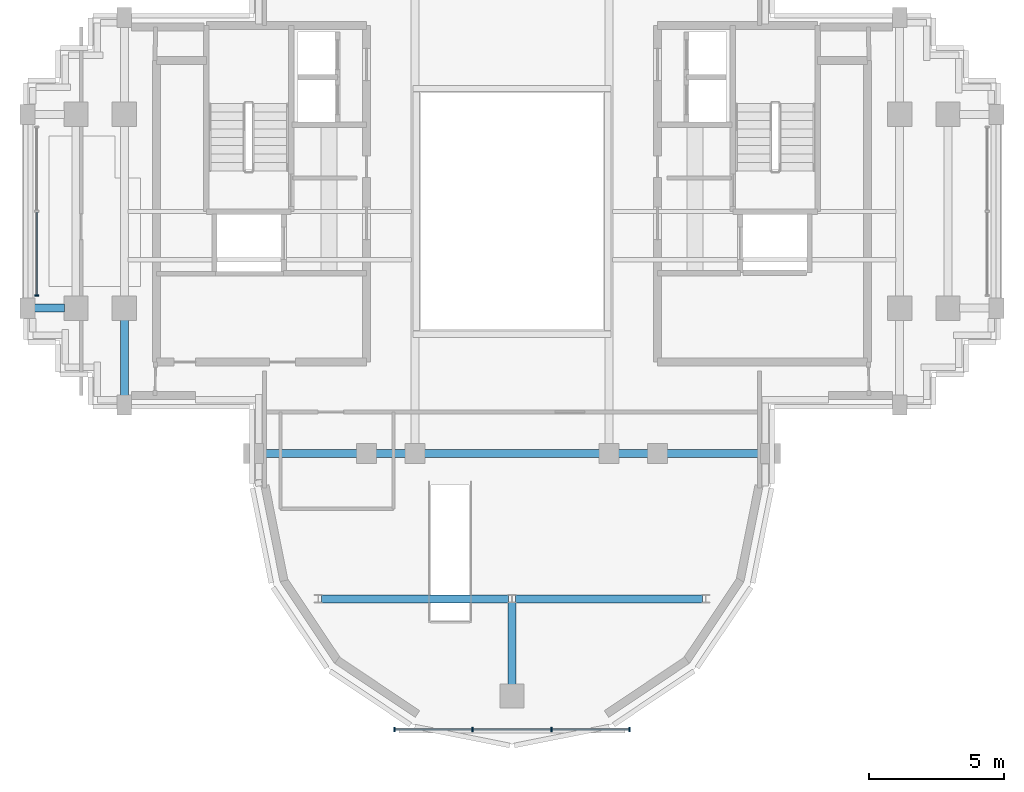
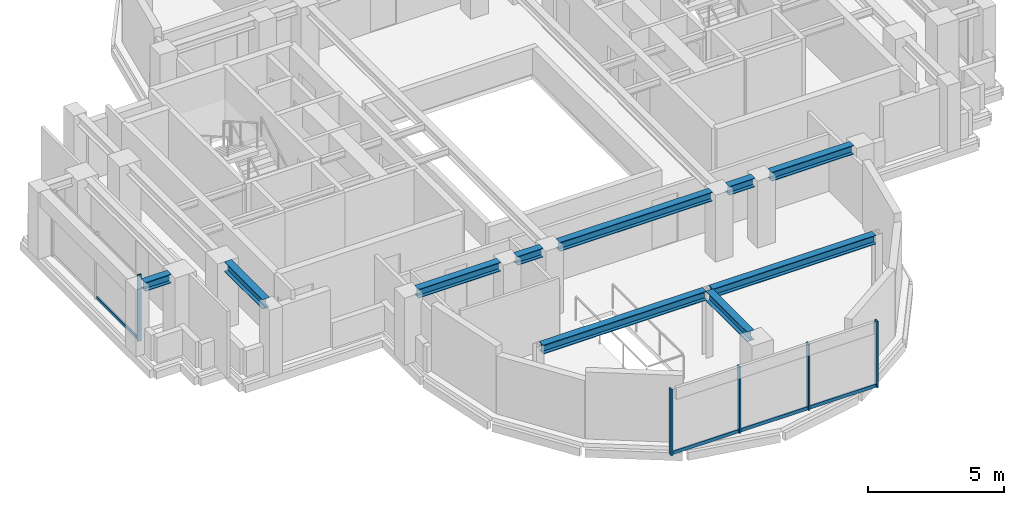
# One storey, part 3 of 12: 10 beams, 9 members, 2 elements without a shape of their own.
"""IFC4 building model written with IfcOpenShell, lengths in metres."""

from ifc_helpers import new_model, si_unit, direction, frame, origin, origin_2d, place, context, subcontext, project, spatial, rectangle, i_section, extrude, source, transform, mapped, material, material_profile, profile_set, type_object, element, aggregate, save


model = new_model("IFC4")

# Units and contexts
model_context = context("Model", 3, precision=1e-05, world=origin(), true_north=direction((0.0, 1.0)))
body_context = subcontext(model_context, "Body", "Model", "MODEL_VIEW")
ifc_project = project(units=[si_unit("LENGTHUNIT", "METRE"), si_unit("AREAUNIT", "SQUARE_METRE"), si_unit("VOLUMEUNIT", "CUBIC_METRE"), si_unit("PLANEANGLEUNIT", "RADIAN"), si_unit("MASSUNIT", "GRAM", prefix="KILO")], contexts=[model_context])

# Site, building, storey
site_placement = place(None, origin())
site = spatial("IfcSite", under=ifc_project, at=site_placement, CompositionType="ELEMENT")
building_placement = place(site_placement, origin())
building = spatial("IfcBuilding", under=site, at=building_placement, Name="Keilestroom Media Tower", CompositionType="ELEMENT")
storey_placement = place(building_placement, frame((0.0, 0.0, 242.800048828125)))
storey = spatial("IfcBuildingStorey", under=building, at=storey_placement, Name="L67", CompositionType="ELEMENT", Elevation=242.800048828125)

# Beams
ifc_material_1 = material(Name="Steel S355", Category="steel")
ifc_material_profile_1 = material_profile(ifc_material_1, i_section(OverallWidth=0.300048828125, OverallDepth=0.39990234375, WebThickness=0.011474609375, FlangeThickness=0.02392578125, at=origin_2d()), Name="HEB 400")
ifc_profile_set_1 = profile_set([ifc_material_profile_1], Name="Steel S355")
beam_type_1 = type_object("IfcBeamType", Name="Primary-Structural-Girder-HEB-400", PredefinedType="BEAM", material=ifc_profile_set_1)
shared_shape_1 = source(origin(), body_context, "Body", "SweptSolid", [
    extrude(i_section(OverallWidth=0.300048828125, OverallDepth=0.39990234375, WebThickness=0.011474609375, FlangeThickness=0.02392578125, at=origin_2d()), origin(), (0.0, 0.0, 1.0), 6.940185546875),
])
for number, where, z_axis, x_axis, name in (
    (1, (-7.070068359375, -14.39990234375, 2.81005859375), (1.0, 0.0, 0.0), (0.0, 1.0, 0.0), "L67 Beam BG-8 BM-L67-EW-001"),
    (2, (0.1298828125, -14.39990234375, 2.81005859375), (1.0, 0.0, 0.0), (0.0, 1.0, 0.0), "L67 Beam BG-8 BM-L67-EW-002"),
):
    element("IfcBeam", number, at=place(storey_placement, frame(where, z_axis=z_axis, x_axis=x_axis)), inside=storey, type_object=beam_type_1, Name=name, PredefinedType="BEAM", context=body_context, shape_type="MappedRepresentation", body=[
        mapped(shared_shape_1, transform((0.0, 0.0, 0.0), x_axis=(1.0, 0.0, 0.0), y_axis=(0.0, 1.0, 0.0), z_axis=(0.0, 0.0, 1.0), scale=1.0)),
    ])
shared_shape_2 = source(origin(), body_context, "Body", "SweptSolid", [
    extrude(i_section(OverallWidth=0.300048828125, OverallDepth=0.39990234375, WebThickness=0.011474609375, FlangeThickness=0.02392578125, at=origin_2d()), origin(), (0.0, 0.0, 1.0), 3.490234375),
])
for number, where, z_axis, x_axis, name in (
    (3, (-9.2451171875, -9.0, 2.81005859375), (1.0, 0.0, 0.0), (0.0, 1.0, 0.0), "L67 Beam BG-8 BM-L67-EW-003"),
    (4, (5.7548828125, -9.0, 2.81005859375), (1.0, 0.0, 0.0), (0.0, 1.0, 0.0), "L67 Beam BG-8 BM-L67-EW-007"),
):
    element("IfcBeam", number, at=place(storey_placement, frame(where, z_axis=z_axis, x_axis=x_axis)), inside=storey, type_object=beam_type_1, Name=name, PredefinedType="BEAM", context=body_context, shape_type="MappedRepresentation", body=[
        mapped(shared_shape_2, transform((0.0, 0.0, 0.0), x_axis=(1.0, 0.0, 0.0), y_axis=(0.0, 1.0, 0.0), z_axis=(0.0, 0.0, 1.0), scale=1.0)),
    ])
shared_shape_3 = source(origin(), body_context, "Body", "SweptSolid", [
    extrude(i_section(OverallWidth=0.300048828125, OverallDepth=0.39990234375, WebThickness=0.011474609375, FlangeThickness=0.02392578125, at=origin_2d()), origin(), (0.0, 0.0, 1.0), 1.08984375),
])
for number, where, z_axis, x_axis, name in (
    (5, (-5.044921875, -9.0, 2.81005859375), (1.0, 0.0, 0.0), (0.0, 1.0, 0.0), "L67 Beam BG-8 BM-L67-EW-004"),
    (6, (3.955078125, -9.0, 2.81005859375), (1.0, 0.0, 0.0), (0.0, 1.0, 0.0), "L67 Beam BG-8 BM-L67-EW-006"),
):
    element("IfcBeam", number, at=place(storey_placement, frame(where, z_axis=z_axis, x_axis=x_axis)), inside=storey, type_object=beam_type_1, Name=name, PredefinedType="BEAM", context=body_context, shape_type="MappedRepresentation", body=[
        mapped(shared_shape_3, transform((0.0, 0.0, 0.0), x_axis=(1.0, 0.0, 0.0), y_axis=(0.0, 1.0, 0.0), z_axis=(0.0, 0.0, 1.0), scale=1.0)),
    ])
shared_shape_4 = source(origin(), body_context, "Body", "SweptSolid", [
    extrude(i_section(OverallWidth=0.300048828125, OverallDepth=0.39990234375, WebThickness=0.011474609375, FlangeThickness=0.02392578125, at=origin_2d()), origin(), (0.0, 0.0, 1.0), 6.490234375),
])
beam_1_placement = place(storey_placement, frame((-3.2451171875, -9.0, 2.81005859375), z_axis=(1.0, 0.0, 0.0), x_axis=(0.0, 1.0, 0.0)))
element("IfcBeam", 7, at=beam_1_placement, inside=storey, type_object=beam_type_1, Name="L67 Beam BG-8 BM-L67-EW-005", PredefinedType="BEAM", context=body_context, shape_type="MappedRepresentation", body=[
    mapped(shared_shape_4, transform((0.0, 0.0, 0.0), x_axis=(1.0, 0.0, 0.0), y_axis=(0.0, 1.0, 0.0), z_axis=(0.0, 0.0, 1.0), scale=1.0)),
])
shared_shape_5 = source(origin(), body_context, "Body", "SweptSolid", [
    extrude(i_section(OverallWidth=0.300048828125, OverallDepth=0.39990234375, WebThickness=0.011474609375, FlangeThickness=0.02392578125, at=origin_2d()), origin(), (0.0, 0.0, 1.0), 1.115234375),
])
beam_2_placement = place(storey_placement, frame((-17.7451171875, -3.60009765625, 2.81005859375), z_axis=(1.0, 0.0, 0.0), x_axis=(0.0, 1.0, 0.0)))
element("IfcBeam", 8, at=beam_2_placement, inside=storey, type_object=beam_type_1, Name="L67 Beam BG-8 BM-L67-EW-008", PredefinedType="BEAM", context=body_context, shape_type="MappedRepresentation", body=[
    mapped(shared_shape_5, transform((0.0, 0.0, 0.0), x_axis=(1.0, 0.0, 0.0), y_axis=(0.0, 1.0, 0.0), z_axis=(0.0, 0.0, 1.0), scale=1.0)),
])
ifc_material_profile_2 = material_profile(ifc_material_1, i_section(OverallWidth=0.300048828125, OverallDepth=0.43994140625, WebThickness=0.011474609375, FlangeThickness=0.02099609375, at=origin_2d()), Name="HEA 450")
ifc_profile_set_2 = profile_set([ifc_material_profile_2], Name="Steel S355")
beam_type_2 = type_object("IfcBeamType", Name="Primary-Structural-Girder-HEA-450", PredefinedType="BEAM", material=ifc_profile_set_2)
shared_shape_6 = source(origin(), body_context, "Body", "SweptSolid", [
    extrude(i_section(OverallWidth=0.300048828125, OverallDepth=0.43994140625, WebThickness=0.011474609375, FlangeThickness=0.02099609375, at=origin_2d()), origin(), (0.0, 0.0, 1.0), 2.81494140625),
])
beam_3_placement = place(storey_placement, frame((-14.39990234375, -6.844970703125, 2.7900390625), z_axis=(0.0, 1.0, 0.0), x_axis=(-1.0, 0.0, 0.0)))
element("IfcBeam", 9, at=beam_3_placement, inside=storey, type_object=beam_type_2, Name="L67 Beam BG-11 BM-L67-NS-027", PredefinedType="BEAM", context=body_context, shape_type="MappedRepresentation", body=[
    mapped(shared_shape_6, transform((0.0, 0.0, 0.0), x_axis=(1.0, 0.0, 0.0), y_axis=(0.0, 1.0, 0.0), z_axis=(0.0, 0.0, 1.0), scale=1.0)),
])
shared_shape_7 = source(origin(), body_context, "Body", "SweptSolid", [
    extrude(i_section(OverallWidth=0.300048828125, OverallDepth=0.43994140625, WebThickness=0.011474609375, FlangeThickness=0.02099609375, at=origin_2d()), origin(), (0.0, 0.0, 1.0), 3.0400390625),
])
beam_4_placement = place(storey_placement, frame((0.0, -17.570068359375, 2.7900390625), z_axis=(0.0, 1.0, 0.0), x_axis=(-1.0, 0.0, 0.0)))
element("IfcBeam", 10, at=beam_4_placement, inside=storey, type_object=beam_type_2, Name="L67 Beam BG-11 BM-L67-NS-034", PredefinedType="BEAM", context=body_context, shape_type="MappedRepresentation", body=[
    mapped(shared_shape_7, transform((0.0, 0.0, 0.0), x_axis=(1.0, 0.0, 0.0), y_axis=(0.0, 1.0, 0.0), z_axis=(0.0, 0.0, 1.0), scale=1.0)),
])

# Curtain wall, members
ifc_material_2 = material(Name="Anodised Aluminium Alloy", Category="aluminium")
curtain_wall_type_1 = type_object("IfcCurtainWallType", Name="Unitised-Curtain-Wall-CW-6", PredefinedType="NOTDEFINED", material=ifc_material_2)
curtain_wall_1_placement = place(storey_placement, origin())
curtain_wall_1 = element("IfcCurtainWall", 11, at=curtain_wall_1_placement, inside=storey, type_object=curtain_wall_type_1, Name="L67 Curtain Wall CW-6 CW-L67-LS-1", PredefinedType="NOTDEFINED")
ifc_material_profile_3 = material_profile(ifc_material_2, rectangle(XDim=0.06494140625, YDim=0.179931640625, at=origin_2d()), Name="ALU MULLION 65x180")
ifc_profile_set_3 = profile_set([ifc_material_profile_3], Name="Anodised Aluminium Alloy")
member_type_1 = type_object("IfcMemberType", Name="Curtain-Wall-Mullion-CW-6", PredefinedType="MULLION", material=ifc_profile_set_3)
shared_shape_8 = source(origin(), body_context, "Body", "SweptSolid", [
    extrude(rectangle(XDim=0.06494140625, YDim=0.179931640625, at=origin_2d()), origin(), (0.0, 0.0, 1.0), 2.97998046875),
])
member_1_placement = place(storey_placement, frame((-4.367431640625, -19.25, 0.0), z_axis=(0.0, 0.0, 1.0), x_axis=(1.0, 0.0, 0.0)))
member_1 = element("IfcMember", 12, at=member_1_placement, type_object=member_type_1, Name="CW-6 Mullion 00", PredefinedType="MULLION", context=body_context, shape_type="MappedRepresentation", body=[
    mapped(shared_shape_8, transform((0.0, 0.0, 0.0), x_axis=(1.0, 0.0, 0.0), y_axis=(0.0, 1.0, 0.0), z_axis=(0.0, 0.0, 1.0), scale=1.0)),
])
member_2_placement = place(storey_placement, frame((-1.466796875, -19.25, 0.0), z_axis=(0.0, 0.0, 1.0), x_axis=(1.0, 0.0, 0.0)))
member_2 = element("IfcMember", 13, at=member_2_placement, type_object=member_type_1, Name="CW-6 Mullion 01", PredefinedType="MULLION", context=body_context, shape_type="MappedRepresentation", body=[
    mapped(shared_shape_8, transform((0.0, 0.0, 0.0), x_axis=(1.0, 0.0, 0.0), y_axis=(0.0, 1.0, 0.0), z_axis=(0.0, 0.0, 1.0), scale=1.0)),
])
member_3_placement = place(storey_placement, frame((1.466796875, -19.25, 0.0), z_axis=(0.0, 0.0, 1.0), x_axis=(1.0, 0.0, 0.0)))
member_3 = element("IfcMember", 14, at=member_3_placement, type_object=member_type_1, Name="CW-6 Mullion 02", PredefinedType="MULLION", context=body_context, shape_type="MappedRepresentation", body=[
    mapped(shared_shape_8, transform((0.0, 0.0, 0.0), x_axis=(1.0, 0.0, 0.0), y_axis=(0.0, 1.0, 0.0), z_axis=(0.0, 0.0, 1.0), scale=1.0)),
])
member_4_placement = place(storey_placement, frame((4.367431640625, -19.25, 0.0), z_axis=(0.0, 0.0, 1.0), x_axis=(1.0, 0.0, 0.0)))
member_4 = element("IfcMember", 15, at=member_4_placement, type_object=member_type_1, Name="CW-6 Mullion 03", PredefinedType="MULLION", context=body_context, shape_type="MappedRepresentation", body=[
    mapped(shared_shape_8, transform((0.0, 0.0, 0.0), x_axis=(1.0, 0.0, 0.0), y_axis=(0.0, 1.0, 0.0), z_axis=(0.0, 0.0, 1.0), scale=1.0)),
])
ifc_material_profile_4 = material_profile(ifc_material_2, rectangle(XDim=0.06494140625, YDim=0.14990234375, at=origin_2d()), Name="ALU TRANSOM 65x150")
ifc_profile_set_4 = profile_set([ifc_material_profile_4], Name="Anodised Aluminium Alloy")
member_type_2 = type_object("IfcMemberType", Name="Curtain-Wall-Transom-CW-6", PredefinedType="USERDEFINED", material=ifc_profile_set_4)
shared_shape_9 = source(origin(), body_context, "Body", "SweptSolid", [
    extrude(rectangle(XDim=0.06494140625, YDim=0.14990234375, at=origin_2d()), origin(), (0.0, 0.0, 1.0), 2.839599609375),
])
member_5_placement = place(storey_placement, frame((-4.3369140625, -19.25, 0.074951171875), z_axis=(1.0, 0.0, 0.0), x_axis=(0.0, 1.0, 0.0)))
member_5 = element("IfcMember", 16, at=member_5_placement, type_object=member_type_2, Name="CW-6 Transom 00.1", ObjectType="TRANSOM", PredefinedType="USERDEFINED", context=body_context, shape_type="MappedRepresentation", body=[
    mapped(shared_shape_9, transform((0.0, 0.0, 0.0), x_axis=(1.0, 0.0, 0.0), y_axis=(0.0, 1.0, 0.0), z_axis=(0.0, 0.0, 1.0), scale=1.0)),
])
member_6_placement = place(storey_placement, frame((1.497314453125, -19.25, 0.074951171875), z_axis=(1.0, 0.0, 0.0), x_axis=(0.0, 1.0, 0.0)))
member_6 = element("IfcMember", 17, at=member_6_placement, type_object=member_type_2, Name="CW-6 Transom 02.1", ObjectType="TRANSOM", PredefinedType="USERDEFINED", context=body_context, shape_type="MappedRepresentation", body=[
    mapped(shared_shape_9, transform((0.0, 0.0, 0.0), x_axis=(1.0, 0.0, 0.0), y_axis=(0.0, 1.0, 0.0), z_axis=(0.0, 0.0, 1.0), scale=1.0)),
])
shared_shape_10 = source(origin(), body_context, "Body", "SweptSolid", [
    extrude(rectangle(XDim=0.06494140625, YDim=0.14990234375, at=origin_2d()), origin(), (0.0, 0.0, 1.0), 2.87255859375),
])
member_7_placement = place(storey_placement, frame((-1.436279296875, -19.25, 0.074951171875), z_axis=(1.0, 0.0, 0.0), x_axis=(0.0, 1.0, 0.0)))
member_7 = element("IfcMember", 18, at=member_7_placement, type_object=member_type_2, Name="CW-6 Transom 01.1", ObjectType="TRANSOM", PredefinedType="USERDEFINED", context=body_context, shape_type="MappedRepresentation", body=[
    mapped(shared_shape_10, transform((0.0, 0.0, 0.0), x_axis=(1.0, 0.0, 0.0), y_axis=(0.0, 1.0, 0.0), z_axis=(0.0, 0.0, 1.0), scale=1.0)),
])
aggregate(curtain_wall_1, [member_1, member_2, member_3, member_4, member_5, member_7, member_6])

curtain_wall_type_2 = type_object("IfcCurtainWallType", Name="Unitised-Curtain-Wall-CW-4", PredefinedType="NOTDEFINED", material=ifc_material_2)
curtain_wall_2_placement = place(storey_placement, origin())
curtain_wall_2 = element("IfcCurtainWall", 19, at=curtain_wall_2_placement, inside=storey, type_object=curtain_wall_type_2, Name="L67 Curtain Wall CW-4 CW-L67-W-1", PredefinedType="NOTDEFINED")
ifc_material_profile_5 = material_profile(ifc_material_2, rectangle(XDim=0.06005859375, YDim=0.159912109375, at=origin_2d()), Name="ALU MULLION 60x160")
ifc_profile_set_5 = profile_set([ifc_material_profile_5], Name="Anodised Aluminium Alloy")
member_type_3 = type_object("IfcMemberType", Name="Curtain-Wall-Mullion-CW-4", PredefinedType="MULLION", material=ifc_profile_set_5)
shared_shape_11 = source(origin(), body_context, "Body", "SweptSolid", [
    extrude(rectangle(XDim=0.06005859375, YDim=0.159912109375, at=origin_2d()), origin(), (0.0, 0.0, 1.0), 2.97998046875),
])
member_8_placement = place(storey_placement, frame((-17.64990234375, -3.135009765625, 0.0), z_axis=(0.0, 0.0, 1.0), x_axis=(0.0, 1.0, 0.0)))
member_8 = element("IfcMember", 20, at=member_8_placement, type_object=member_type_3, Name="CW-4 Mullion 00", PredefinedType="MULLION", context=body_context, shape_type="MappedRepresentation", body=[
    mapped(shared_shape_11, transform((0.0, 0.0, 0.0), x_axis=(1.0, 0.0, 0.0), y_axis=(0.0, 1.0, 0.0), z_axis=(0.0, 0.0, 1.0), scale=1.0)),
])
ifc_material_profile_6 = material_profile(ifc_material_2, rectangle(XDim=0.06005859375, YDim=0.1298828125, at=origin_2d()), Name="ALU TRANSOM 60x130")
ifc_profile_set_6 = profile_set([ifc_material_profile_6], Name="Anodised Aluminium Alloy")
member_type_4 = type_object("IfcMemberType", Name="Curtain-Wall-Transom-CW-4", PredefinedType="USERDEFINED", material=ifc_profile_set_6)
shared_shape_12 = source(origin(), body_context, "Body", "SweptSolid", [
    extrude(rectangle(XDim=0.06005859375, YDim=0.1298828125, at=origin_2d()), origin(), (0.0, 0.0, 1.0), 3.078857421875),
])
member_9_placement = place(storey_placement, frame((-17.64990234375, -3.10693359375, 0.06494140625), z_axis=(0.0, 1.0, 0.0), x_axis=(-1.0, 0.0, 0.0)))
member_9 = element("IfcMember", 21, at=member_9_placement, type_object=member_type_4, Name="CW-4 Transom 00.1", ObjectType="TRANSOM", PredefinedType="USERDEFINED", context=body_context, shape_type="MappedRepresentation", body=[
    mapped(shared_shape_12, transform((0.0, 0.0, 0.0), x_axis=(1.0, 0.0, 0.0), y_axis=(0.0, 1.0, 0.0), z_axis=(0.0, 0.0, 1.0), scale=1.0)),
])
aggregate(curtain_wall_2, [member_8, member_9])

save(model, "model.ifc")
